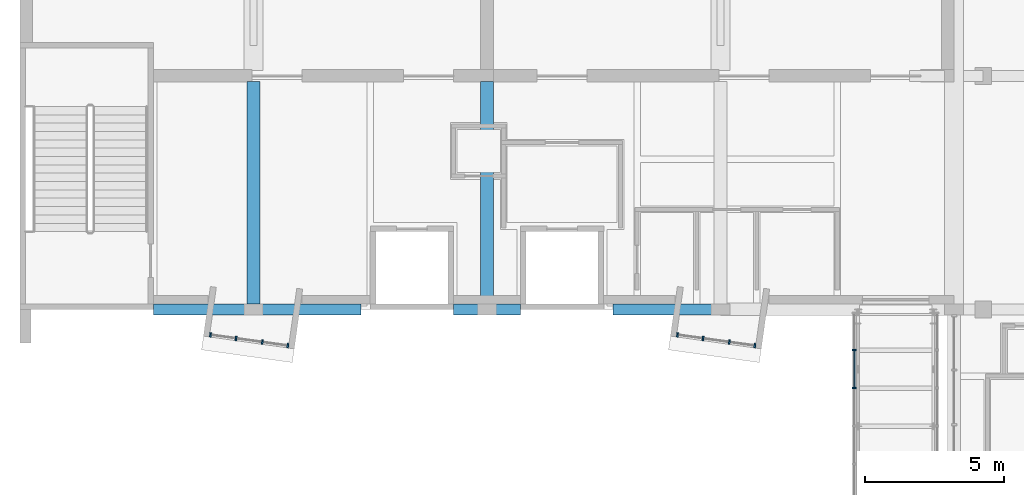
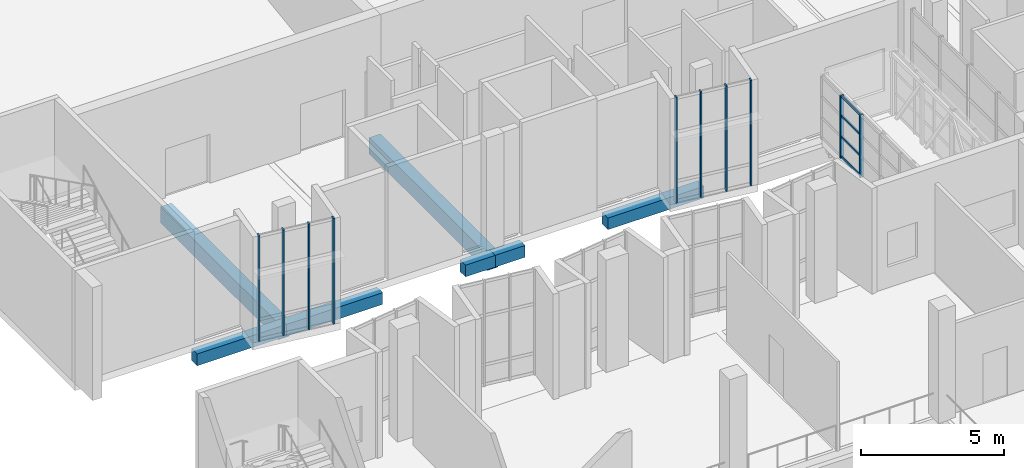
# One storey, part 12 of 67: 14 members, 7 beams, 3 elements without a shape of their own.
"""IFC4 building model written with IfcOpenShell, lengths in metres."""

from ifc_helpers import new_model, si_unit, direction, frame, origin, origin_2d, place, context, subcontext, project, spatial, rectangle, extrude, material, layer, layer_set, material_profile, profile_set, type_object, element, aggregate, save


model = new_model("IFC4")

# Units and contexts
model_context = context("Model", 3, precision=1e-05, world=origin(), true_north=direction((0.0, 1.0)))
body_context = subcontext(model_context, "Body", "Model", "MODEL_VIEW")
ifc_project = project(units=[si_unit("LENGTHUNIT", "METRE"), si_unit("AREAUNIT", "SQUARE_METRE"), si_unit("VOLUMEUNIT", "CUBIC_METRE"), si_unit("PLANEANGLEUNIT", "RADIAN"), si_unit("MASSUNIT", "GRAM", prefix="KILO")], contexts=[model_context])

# Site, building, storey
site_placement = place(None, origin())
site = spatial("IfcSite", under=ifc_project, at=site_placement, CompositionType="ELEMENT")
building_placement = place(site_placement, origin())
building = spatial("IfcBuilding", under=site, at=building_placement, Name="Kiln Court Media Centre", CompositionType="ELEMENT")
storey_placement = place(building_placement, frame((0.0, 0.0, 19.800048828125)))
storey = spatial("IfcBuildingStorey", under=building, at=storey_placement, Name="L04", CompositionType="ELEMENT", Elevation=19.800048828125)

# Curtain wall, members
ifc_material_1 = material(Name="Aluminium 6063-T6", Category="aluminium")
ifc_layer_1 = layer(ifc_material_1, 0.1201171875)
ifc_layer_set_1 = layer_set([ifc_layer_1], Name="Aluminium unitised curtain wall, bridge")
curtain_wall_type_1 = type_object("IfcCurtainWallType", Name="Aluminium unitised curtain wall, bridge", PredefinedType="USERDEFINED", material=ifc_layer_set_1)
curtain_wall_1_placement = place(storey_placement, origin())
curtain_wall_1 = element("IfcCurtainWall", 1, at=curtain_wall_1_placement, inside=storey, type_object=curtain_wall_type_1, Name="BR-2 side glazing", ObjectType="UNITISED CURTAIN WALL", PredefinedType="USERDEFINED")
ifc_material_2 = material(Name="Aluminium 6063-T6", Category="aluminium")
ifc_material_profile_1 = material_profile(ifc_material_2, rectangle(XDim=0.050048828125, YDim=0.139892578125, at=origin_2d()), Name="Aluminium hall mullion 50x140")
ifc_profile_set_1 = profile_set([ifc_material_profile_1], Name="Aluminium 6063-T6")
member_type_1 = type_object("IfcMemberType", Name="Aluminium hall mullion 50x140", PredefinedType="MULLION", material=ifc_profile_set_1)
member_1_placement = place(storey_placement, frame((30.014892578125, 30.7666015625, 0.0), z_axis=(0.0, 0.0, 1.0), x_axis=(0.0, 1.0, 0.0)))
member_1 = element("IfcMember", 2, at=member_1_placement, type_object=member_type_1, Name="CW4-65 mullion 5", PredefinedType="MULLION", context=body_context, shape_type="SweptSolid", body=[
    extrude(rectangle(XDim=0.050048828125, YDim=0.139892578125, at=origin_2d()), origin(), (0.0, 0.0, 1.0), 2.675048828125),
])
member_2_placement = place(storey_placement, frame((30.014892578125, 32.13330078125, 0.0), z_axis=(0.0, 0.0, 1.0), x_axis=(0.0, 1.0, 0.0)))
member_2 = element("IfcMember", 3, at=member_2_placement, type_object=member_type_1, Name="CW4-65 mullion 6", PredefinedType="MULLION", context=body_context, shape_type="SweptSolid", body=[
    extrude(rectangle(XDim=0.050048828125, YDim=0.139892578125, at=origin_2d()), origin(), (0.0, 0.0, 1.0), 2.675048828125),
])
ifc_material_3 = material(Name="Aluminium 6063-T6", Category="aluminium")
ifc_material_profile_2 = material_profile(ifc_material_3, rectangle(XDim=0.050048828125, YDim=0.10009765625, at=origin_2d()), Name="Aluminium hall transom 50x100")
ifc_profile_set_2 = profile_set([ifc_material_profile_2], Name="Aluminium 6063-T6")
member_type_2 = type_object("IfcMemberType", Name="Aluminium hall transom 50x100", PredefinedType="USERDEFINED", material=ifc_profile_set_2)
member_3_placement = place(storey_placement, frame((30.014892578125, 30.791748046875, 0.050048828125), z_axis=(0.0, 1.0, 0.0), x_axis=(-1.0, 0.0, 0.0)))
member_3 = element("IfcMember", 4, at=member_3_placement, type_object=member_type_2, Name="CW4-65 transom 5.1", ObjectType="TRANSOM", PredefinedType="USERDEFINED", context=body_context, shape_type="SweptSolid", body=[
    extrude(rectangle(XDim=0.050048828125, YDim=0.10009765625, at=origin_2d()), origin(), (0.0, 0.0, 1.0), 1.316650390625),
])
member_4_placement = place(storey_placement, frame((30.014892578125, 30.791748046875, 0.8916015625), z_axis=(0.0, 1.0, 0.0), x_axis=(-1.0, 0.0, 0.0)))
member_4 = element("IfcMember", 5, at=member_4_placement, type_object=member_type_2, Name="CW4-65 transom 5.2", ObjectType="TRANSOM", PredefinedType="USERDEFINED", context=body_context, shape_type="SweptSolid", body=[
    extrude(rectangle(XDim=0.050048828125, YDim=0.10009765625, at=origin_2d()), origin(), (0.0, 0.0, 1.0), 1.316650390625),
])
member_5_placement = place(storey_placement, frame((30.014892578125, 30.791748046875, 1.783203125), z_axis=(0.0, 1.0, 0.0), x_axis=(-1.0, 0.0, 0.0)))
member_5 = element("IfcMember", 6, at=member_5_placement, type_object=member_type_2, Name="CW4-65 transom 5.3", ObjectType="TRANSOM", PredefinedType="USERDEFINED", context=body_context, shape_type="SweptSolid", body=[
    extrude(rectangle(XDim=0.050048828125, YDim=0.10009765625, at=origin_2d()), origin(), (0.0, 0.0, 1.0), 1.316650390625),
])
member_6_placement = place(storey_placement, frame((30.014892578125, 30.791748046875, 2.625), z_axis=(0.0, 1.0, 0.0), x_axis=(-1.0, 0.0, 0.0)))
member_6 = element("IfcMember", 7, at=member_6_placement, type_object=member_type_2, Name="CW4-65 transom 5.4", ObjectType="TRANSOM", PredefinedType="USERDEFINED", context=body_context, shape_type="SweptSolid", body=[
    extrude(rectangle(XDim=0.050048828125, YDim=0.10009765625, at=origin_2d()), origin(), (0.0, 0.0, 1.0), 1.316650390625),
])
aggregate(curtain_wall_1, [member_1, member_2, member_3, member_4, member_5, member_6])

ifc_material_4 = material(Name="Aluminium 6063-T6", Category="aluminium")
ifc_layer_2 = layer(ifc_material_4, 0.1201171875)
ifc_layer_set_2 = layer_set([ifc_layer_2], Name="Aluminium unitised bay curtain wall")
curtain_wall_type_2 = type_object("IfcCurtainWallType", Name="Aluminium unitised bay curtain wall", PredefinedType="USERDEFINED", material=ifc_layer_set_2)
curtain_wall_2_placement = place(storey_placement, origin())
curtain_wall_2 = element("IfcCurtainWall", 8, at=curtain_wall_2_placement, inside=storey, type_object=curtain_wall_type_2, Name="BAY V4-S-L04-24 front", ObjectType="UNITISED CURTAIN WALL", PredefinedType="USERDEFINED")
ifc_material_5 = material(Name="Aluminium 6063-T6", Category="aluminium")
ifc_material_profile_3 = material_profile(ifc_material_5, rectangle(XDim=0.06005859375, YDim=0.159912109375, at=origin_2d()), Name="Aluminium mullion 60x160")
ifc_profile_set_3 = profile_set([ifc_material_profile_3], Name="Aluminium 6063-T6")
member_type_3 = type_object("IfcMemberType", Name="Aluminium mullion 60x160", PredefinedType="MULLION", material=ifc_profile_set_3)
member_7_placement = place(storey_placement, frame((6.852783203125, 32.6865234375, 0.0), z_axis=(0.0, 0.0, 1.0), x_axis=(0.990269562409, -0.139162472554, 0.0)))
member_7 = element("IfcMember", 9, at=member_7_placement, type_object=member_type_3, Name="CW4-01 mullion 1", PredefinedType="MULLION", context=body_context, shape_type="SweptSolid", body=[
    extrude(rectangle(XDim=0.06005859375, YDim=0.159912109375, at=origin_2d()), origin(), (0.0, 0.0, 1.0), 4.5),
])
member_8_placement = place(storey_placement, frame((7.7705078125, 32.557373046875, 0.0), z_axis=(0.0, 0.0, 1.0), x_axis=(0.990269562409, -0.139162472554, 0.0)))
member_8 = element("IfcMember", 10, at=member_8_placement, type_object=member_type_3, Name="CW4-01 mullion 2", PredefinedType="MULLION", context=body_context, shape_type="SweptSolid", body=[
    extrude(rectangle(XDim=0.06005859375, YDim=0.159912109375, at=origin_2d()), origin(), (0.0, 0.0, 1.0), 4.5),
])
member_9_placement = place(storey_placement, frame((8.7177734375, 32.42431640625, 0.0), z_axis=(0.0, 0.0, 1.0), x_axis=(0.990269562409, -0.139162472554, 0.0)))
member_9 = element("IfcMember", 11, at=member_9_placement, type_object=member_type_3, Name="CW4-01 mullion 3", PredefinedType="MULLION", context=body_context, shape_type="SweptSolid", body=[
    extrude(rectangle(XDim=0.06005859375, YDim=0.159912109375, at=origin_2d()), origin(), (0.0, 0.0, 1.0), 4.5),
])
member_10_placement = place(storey_placement, frame((9.635498046875, 32.29541015625, 0.0), z_axis=(0.0, 0.0, 1.0), x_axis=(0.990269562409, -0.139162472554, 0.0)))
member_10 = element("IfcMember", 12, at=member_10_placement, type_object=member_type_3, Name="CW4-01 mullion 4", PredefinedType="MULLION", context=body_context, shape_type="SweptSolid", body=[
    extrude(rectangle(XDim=0.06005859375, YDim=0.159912109375, at=origin_2d()), origin(), (0.0, 0.0, 1.0), 4.5),
])
aggregate(curtain_wall_2, [member_7, member_8, member_9, member_10])

curtain_wall_3_placement = place(storey_placement, origin())
curtain_wall_3 = element("IfcCurtainWall", 13, at=curtain_wall_3_placement, inside=storey, type_object=curtain_wall_type_2, Name="BAY V4-S-L04-28 front", ObjectType="UNITISED CURTAIN WALL", PredefinedType="USERDEFINED")
member_11_placement = place(storey_placement, frame((23.65283203125, 32.6865234375, 0.0), z_axis=(0.0, 0.0, 1.0), x_axis=(0.990269562409, -0.139162472554, 0.0)))
member_11 = element("IfcMember", 14, at=member_11_placement, type_object=member_type_3, Name="CW4-02 mullion 1", PredefinedType="MULLION", context=body_context, shape_type="SweptSolid", body=[
    extrude(rectangle(XDim=0.06005859375, YDim=0.159912109375, at=origin_2d()), origin(), (0.0, 0.0, 1.0), 4.5),
])
member_12_placement = place(storey_placement, frame((24.570556640625, 32.557373046875, 0.0), z_axis=(0.0, 0.0, 1.0), x_axis=(0.990269562409, -0.139162472554, 0.0)))
member_12 = element("IfcMember", 15, at=member_12_placement, type_object=member_type_3, Name="CW4-02 mullion 2", PredefinedType="MULLION", context=body_context, shape_type="SweptSolid", body=[
    extrude(rectangle(XDim=0.06005859375, YDim=0.159912109375, at=origin_2d()), origin(), (0.0, 0.0, 1.0), 4.5),
])
member_13_placement = place(storey_placement, frame((25.517822265625, 32.42431640625, 0.0), z_axis=(0.0, 0.0, 1.0), x_axis=(0.990269562409, -0.139162472554, 0.0)))
member_13 = element("IfcMember", 16, at=member_13_placement, type_object=member_type_3, Name="CW4-02 mullion 3", PredefinedType="MULLION", context=body_context, shape_type="SweptSolid", body=[
    extrude(rectangle(XDim=0.06005859375, YDim=0.159912109375, at=origin_2d()), origin(), (0.0, 0.0, 1.0), 4.5),
])
member_14_placement = place(storey_placement, frame((26.435546875, 32.29541015625, 0.0), z_axis=(0.0, 0.0, 1.0), x_axis=(0.990269562409, -0.139162472554, 0.0)))
member_14 = element("IfcMember", 17, at=member_14_placement, type_object=member_type_3, Name="CW4-02 mullion 4", PredefinedType="MULLION", context=body_context, shape_type="SweptSolid", body=[
    extrude(rectangle(XDim=0.06005859375, YDim=0.159912109375, at=origin_2d()), origin(), (0.0, 0.0, 1.0), 4.5),
])
aggregate(curtain_wall_3, [member_11, member_12, member_13, member_14])

# Beams
ifc_material_6 = material(Name="Concrete C30/37", Category="concrete")
ifc_material_profile_4 = material_profile(ifc_material_6, rectangle(XDim=0.39990234375, YDim=0.5, at=origin_2d()), Name="RC 400x500")
ifc_profile_set_4 = profile_set([ifc_material_profile_4], Name="Concrete C30/37")
beam_type_1 = type_object("IfcBeamType", Name="Concrete C30/37 beam 400x500", PredefinedType="BEAM", material=ifc_profile_set_4)
beam_1_placement = place(storey_placement, frame((4.800048828125, 33.60009765625, -0.550048828125), z_axis=(1.0, 0.0, 0.0), x_axis=(0.0, 1.0, 0.0)))
element("IfcBeam", 18, at=beam_1_placement, inside=storey, type_object=beam_type_1, Name="L04-B-1069", PredefinedType="BEAM", context=body_context, shape_type="SweptSolid", body=[
    extrude(rectangle(XDim=0.39990234375, YDim=0.5, at=origin_2d()), origin(), (0.0, 0.0, 1.0), 3.599853515625),
])
beam_2_placement = place(storey_placement, frame((8.39990234375, 33.60009765625, -0.550048828125), z_axis=(1.0, 0.0, 0.0), x_axis=(0.0, 1.0, 0.0)))
element("IfcBeam", 19, at=beam_2_placement, inside=storey, type_object=beam_type_1, Name="L04-B-1070", PredefinedType="BEAM", context=body_context, shape_type="SweptSolid", body=[
    extrude(rectangle(XDim=0.39990234375, YDim=0.5, at=origin_2d()), origin(), (0.0, 0.0, 1.0), 3.8662109375),
])
for number, where, z_axis, x_axis, name in (
    (20, (15.60009765625, 33.60009765625, -0.550048828125), (1.0, 0.0, 0.0), (0.0, 1.0, 0.0), "L04-B-1071"),
    (21, (16.800048828125, 33.60009765625, -0.550048828125), (1.0, 0.0, 0.0), (0.0, 1.0, 0.0), "L04-B-1072"),
):
    element("IfcBeam", number, at=place(storey_placement, frame(where, z_axis=z_axis, x_axis=x_axis)), inside=storey, type_object=beam_type_1, Name=name, PredefinedType="BEAM", context=body_context, shape_type="SweptSolid", body=[
        extrude(rectangle(XDim=0.39990234375, YDim=0.5, at=origin_2d()), origin(), (0.0, 0.0, 1.0), 1.199951171875),
    ])
beam_3_placement = place(storey_placement, frame((21.333984375, 33.60009765625, -0.550048828125), z_axis=(1.0, 0.0, 0.0), x_axis=(0.0, 1.0, 0.0)))
element("IfcBeam", 22, at=beam_3_placement, inside=storey, type_object=beam_type_1, Name="L04-B-1073", PredefinedType="BEAM", context=body_context, shape_type="SweptSolid", body=[
    extrude(rectangle(XDim=0.39990234375, YDim=0.5, at=origin_2d()), origin(), (0.0, 0.0, 1.0), 3.865966796875),
])
ifc_material_7 = material(Name="Concrete C30/37", Category="concrete")
ifc_material_profile_5 = material_profile(ifc_material_7, rectangle(XDim=0.449951171875, YDim=0.699951171875, at=origin_2d()), Name="RC 450x700")
ifc_profile_set_5 = profile_set([ifc_material_profile_5], Name="Concrete C30/37")
beam_type_2 = type_object("IfcBeamType", Name="Concrete C30/37 beam 450x700", PredefinedType="BEAM", material=ifc_profile_set_5)
for number, where, z_axis, x_axis, name in (
    (23, (8.39990234375, 33.60009765625, -0.650146484375), (0.0, 1.0, 0.0), (-1.0, 0.0, 0.0), "L04-B-1059"),
    (24, (16.800048828125, 33.60009765625, -0.650146484375), (0.0, 1.0, 0.0), (-1.0, 0.0, 0.0), "L04-B-1062"),
):
    element("IfcBeam", number, at=place(storey_placement, frame(where, z_axis=z_axis, x_axis=x_axis)), inside=storey, type_object=beam_type_2, Name=name, PredefinedType="BEAM", context=body_context, shape_type="SweptSolid", body=[
        extrude(rectangle(XDim=0.449951171875, YDim=0.699951171875, at=origin_2d()), origin(), (0.0, 0.0, 1.0), 8.199951171875),
    ])

save(model, "model.ifc")
